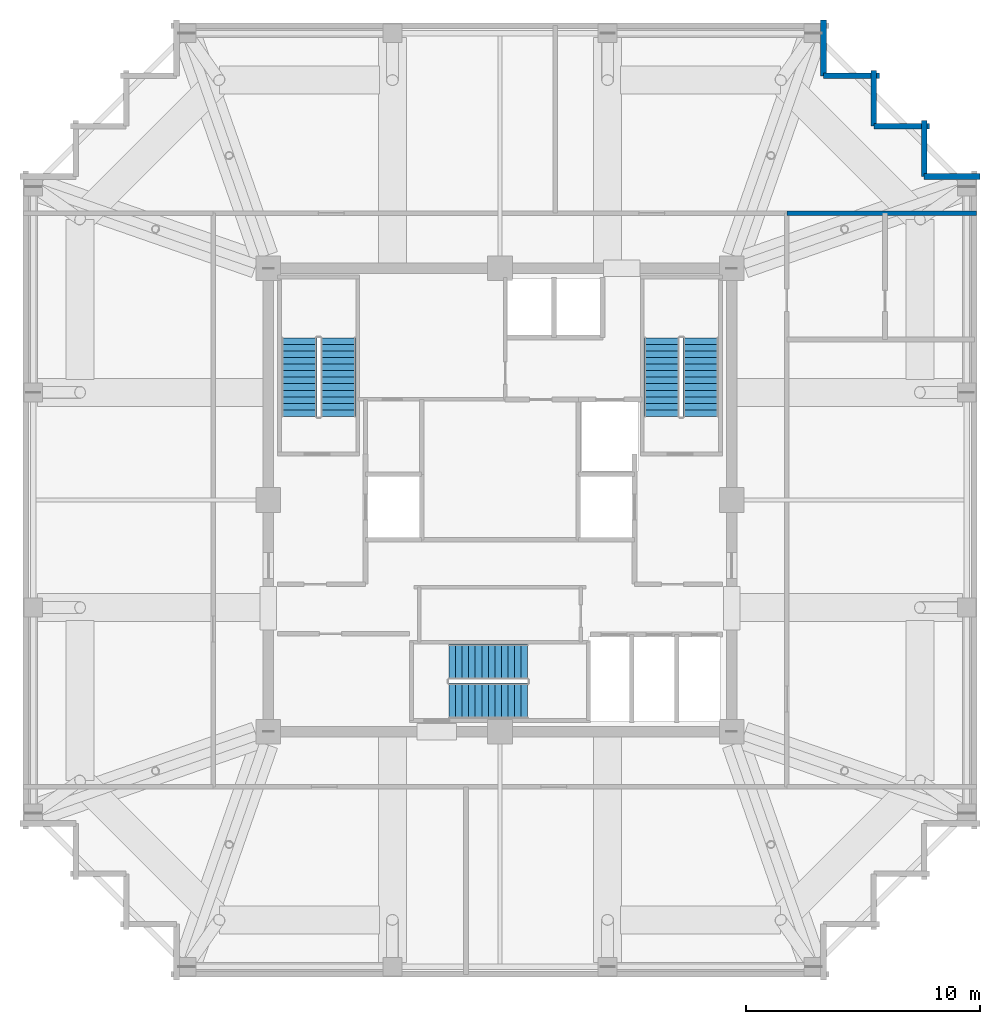
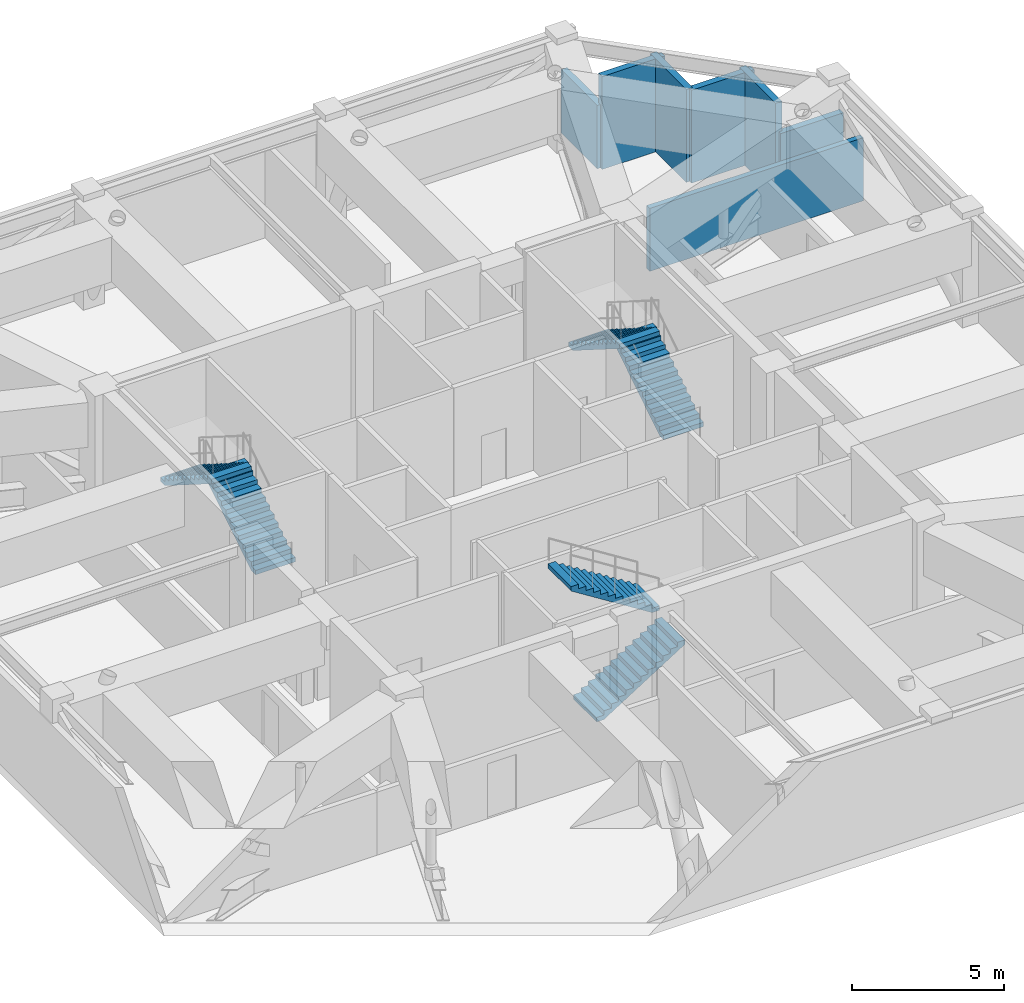
# One storey, part 13 of 14: 7 walls, 6 stair flights, 3 elements without a shape of their own.
"""IFC4 building model written with IfcOpenShell, lengths in metres."""

from ifc_helpers import new_model, si_unit, direction, frame, frame_2d, origin, place, context, subcontext, project, spatial, polyline, rectangle, outline, extrude, material, layer, layer_set, type_object, element, aggregate, save


model = new_model("IFC4")

# Units and contexts
model_context = context("Model", 3, precision=1e-05, world=origin(), true_north=direction((0.0, 1.0)))
body_context = subcontext(model_context, "Body", "Model", "MODEL_VIEW")
ifc_project = project(units=[si_unit("LENGTHUNIT", "METRE"), si_unit("AREAUNIT", "SQUARE_METRE"), si_unit("VOLUMEUNIT", "CUBIC_METRE"), si_unit("PLANEANGLEUNIT", "RADIAN"), si_unit("MASSUNIT", "GRAM", prefix="KILO")], contexts=[model_context])

# Site, building, storey
site_placement = place(None, origin())
site = spatial("IfcSite", under=ifc_project, at=site_placement, CompositionType="ELEMENT")
building_placement = place(site_placement, origin())
building = spatial("IfcBuilding", under=site, at=building_placement, Name="Kolvaren Belvedere", CompositionType="ELEMENT")
storey_placement = place(building_placement, frame((0.0, 0.0, 232.800048828125)))
storey = spatial("IfcBuildingStorey", under=building, at=storey_placement, Name="L68", CompositionType="ELEMENT", Elevation=232.800048828125)

# Walls
ifc_material_1 = material(Name="Insulated acoustic pale-metal louvre wall", Category="aluminium")
ifc_layer_1 = layer(ifc_material_1, 0.239990234375)
ifc_layer_set_1 = layer_set([ifc_layer_1], Name="Insulated acoustic pale-metal louvre wall")
wall_type_1 = type_object("IfcWallType", Name="WL-LOUV-240", PredefinedType="STANDARD", material=ifc_layer_set_1)
wall_1_placement = place(storey_placement, frame((18.1298828125, 13.830078125, 0.0), z_axis=(0.0, 0.0, 1.0), x_axis=(1.0, 0.0, 0.0)))
element("IfcWall", 1, at=wall_1_placement, inside=storey, type_object=wall_type_1, Name="L68 Acoustic Louvre Facade Wall 9", PredefinedType="STANDARD", context=body_context, shape_type="SweptSolid", body=[
    extrude(rectangle(XDim=2.39013671875, YDim=0.239990234375, at=frame_2d((1.195068359375, 0.0))), origin(), (0.0, 0.0, 1.0), 2.544921875),
])
wall_2_placement = place(storey_placement, frame((18.1298828125, 16.219970703125, 0.0), z_axis=(0.0, 0.0, 1.0), x_axis=(0.0, -1.0, 0.0)))
element("IfcWall", 2, at=wall_2_placement, inside=storey, type_object=wall_type_1, Name="L68 Acoustic Louvre Facade Wall 10", PredefinedType="STANDARD", context=body_context, shape_type="SweptSolid", body=[
    extrude(rectangle(XDim=2.389892578125, YDim=0.239990234375, at=frame_2d((1.19482421875, 0.0))), origin(), (0.0, 0.0, 1.0), 3.73291015625),
])
for number, where, z_axis, x_axis, name in (
    (3, (15.97998046875, 15.97998046875, 0.0), (0.0, 0.0, 1.0), (1.0, 0.0, 0.0), "L68 Acoustic Louvre Facade Wall 11"),
    (4, (15.97998046875, 18.3701171875, 0.0), (0.0, 0.0, 1.0), (0.0, -1.0, 0.0), "L68 Acoustic Louvre Facade Wall 12"),
):
    element("IfcWall", number, at=place(storey_placement, frame(where, z_axis=z_axis, x_axis=x_axis)), inside=storey, type_object=wall_type_1, Name=name, PredefinedType="STANDARD", context=body_context, shape_type="SweptSolid", body=[
        extrude(rectangle(XDim=2.39013671875, YDim=0.239990234375, at=frame_2d((1.195068359375, 0.0))), origin(), (0.0, 0.0, 1.0), 3.73291015625),
    ])
wall_3_placement = place(storey_placement, frame((13.830078125, 18.1298828125, 0.0), z_axis=(0.0, 0.0, 1.0), x_axis=(1.0, 0.0, 0.0)))
element("IfcWall", 5, at=wall_3_placement, inside=storey, type_object=wall_type_1, Name="L68 Acoustic Louvre Facade Wall 13", PredefinedType="STANDARD", context=body_context, shape_type="SweptSolid", body=[
    extrude(rectangle(XDim=2.389892578125, YDim=0.239990234375, at=frame_2d((1.19482421875, 0.0))), origin(), (0.0, 0.0, 1.0), 3.73291015625),
])
wall_4_placement = place(storey_placement, frame((13.830078125, 20.52001953125, 0.0), z_axis=(0.0, 0.0, 1.0), x_axis=(0.0, -1.0, 0.0)))
element("IfcWall", 6, at=wall_4_placement, inside=storey, type_object=wall_type_1, Name="L68 Acoustic Louvre Facade Wall 14", PredefinedType="STANDARD", context=body_context, shape_type="SweptSolid", body=[
    extrude(rectangle(XDim=2.39013671875, YDim=0.239990234375, at=frame_2d((1.195068359375, 0.0))), origin(), (0.0, 0.0, 1.0), 2.544921875),
])
ifc_material_2 = material(Name="Concrete C50/60", Category="concrete")
ifc_layer_2 = layer(ifc_material_2, 0.199951171875)
ifc_layer_set_2 = layer_set([ifc_layer_2], Name="Concrete C50/60")
wall_type_2 = type_object("IfcWallType", Name="WL-SHAFT-200", PredefinedType="SOLIDWALL", material=ifc_layer_set_2)
wall_5_placement = place(storey_placement, frame((12.260009765625, 12.260009765625, 0.0), z_axis=(0.0, 0.0, 1.0), x_axis=(1.0, 0.0, 0.0)))
element("IfcWall", 7, at=wall_5_placement, inside=storey, type_object=wall_type_2, Name="L68 Sector Wall PW-L68-QNE", PredefinedType="SOLIDWALL", context=body_context, shape_type="SweptSolid", body=[
    extrude(rectangle(XDim=8.119873046875, YDim=0.199951171875, at=frame_2d((4.06005859375, 0.0))), origin(), (0.0, 0.0, 1.0), 2.534912109375),
])

# Stair, stair flights
ifc_material_3 = material(Name="Concrete C50/60", Category="concrete")
stair_type = type_object("IfcStairType", Name="ST-CORE-1520", PredefinedType="HALF_TURN_STAIR", material=ifc_material_3)
stair_1_placement = place(storey_placement, origin())
stair_1 = element("IfcStair", 8, at=stair_1_placement, inside=storey, type_object=stair_type, Name="L68 Protected Exit Stair ST-1", PredefinedType="HALF_TURN_STAIR")
ifc_material_4 = material(Name="Concrete C50/60", Category="concrete")
stair_flight_type = type_object("IfcStairFlightType", Name="SF-STR-1520", PredefinedType="STRAIGHT", material=ifc_material_4)
stair_flight_1_placement = place(storey_placement, frame((-6.919921875, 3.570068359375, 0.0), z_axis=(0.0, 0.0, 1.0), x_axis=(0.0, 1.0, 0.0)))
stair_flight_1 = element("IfcStairFlight", 9, at=stair_flight_1_placement, type_object=stair_flight_type, Name="ST-1 flight 1", NumberOfRisers=13, NumberOfTreads=12, PredefinedType="STRAIGHT", RiserHeight=0.176923077, TreadLength=0.28, context=body_context, shape_type="SweptSolid", body=[
    extrude(outline(polyline([(0.0, 0.0), (0.0, 0.177001953125), (0.280029296875, 0.177001953125), (0.280029296875, 0.353759765625), (0.56005859375, 0.353759765625), (0.56005859375, 0.53076171875), (0.840087890625, 0.53076171875), (0.840087890625, 0.707763671875), (1.1201171875, 0.707763671875), (1.1201171875, 0.884521484375), (1.39990234375, 0.884521484375), (1.39990234375, 1.0615234375), (1.679931640625, 1.0615234375), (1.679931640625, 1.238525390625), (1.9599609375, 1.238525390625), (1.9599609375, 1.415283203125), (2.239990234375, 1.415283203125), (2.239990234375, 1.59228515625), (2.52001953125, 1.59228515625), (2.52001953125, 1.769287109375), (2.800048828125, 1.769287109375), (2.800048828125, 1.946044921875), (3.080078125, 1.946044921875), (3.080078125, 2.123046875), (3.360107421875, 2.123046875), (3.360107421875, 2.300048828125), (3.360107421875, 1.94580078125), (0.280517578125, 0.0), (0.0, 0.0)])), frame((0.0, 0.760009765625, 0.0), z_axis=(0.0, -1.0, 0.0), x_axis=(1.0, 0.0, 0.0)), (0.0, 0.0, 1.0), 1.52001953125),
])
stair_flight_2_placement = place(storey_placement, frame((-8.590087890625, 6.929931640625, 2.300048828125), z_axis=(0.0, 0.0, 1.0), x_axis=(0.0, -1.0, 0.0)))
stair_flight_2 = element("IfcStairFlight", 10, at=stair_flight_2_placement, type_object=stair_flight_type, Name="ST-1 flight 2", NumberOfRisers=13, NumberOfTreads=12, PredefinedType="STRAIGHT", RiserHeight=0.176923077, TreadLength=0.28, context=body_context, shape_type="SweptSolid", body=[
    extrude(outline(polyline([(0.0, 0.0), (0.0, 0.177001953125), (0.280029296875, 0.177001953125), (0.280029296875, 0.353759765625), (0.56005859375, 0.353759765625), (0.56005859375, 0.53076171875), (0.840087890625, 0.53076171875), (0.840087890625, 0.707763671875), (1.1201171875, 0.707763671875), (1.1201171875, 0.884521484375), (1.39990234375, 0.884521484375), (1.39990234375, 1.0615234375), (1.679931640625, 1.0615234375), (1.679931640625, 1.238525390625), (1.9599609375, 1.238525390625), (1.9599609375, 1.415283203125), (2.239990234375, 1.415283203125), (2.239990234375, 1.59228515625), (2.52001953125, 1.59228515625), (2.52001953125, 1.769287109375), (2.800048828125, 1.769287109375), (2.800048828125, 1.946044921875), (3.080078125, 1.946044921875), (3.080078125, 2.123046875), (3.360107421875, 2.123046875), (3.360107421875, 2.300048828125), (3.360107421875, 1.94580078125), (0.280517578125, 0.0), (0.0, 0.0)])), frame((0.0, 0.760009765625, 0.0), z_axis=(0.0, -1.0, 0.0), x_axis=(1.0, 0.0, 0.0)), (0.0, 0.0, 1.0), 1.52001953125),
])
aggregate(stair_1, [stair_flight_1, stair_flight_2])

stair_2_placement = place(storey_placement, origin())
stair_2 = element("IfcStair", 11, at=stair_2_placement, inside=storey, type_object=stair_type, Name="L68 Protected Exit Stair ST-2", PredefinedType="HALF_TURN_STAIR")
stair_flight_3_placement = place(storey_placement, frame((8.590087890625, 3.570068359375, 0.0), z_axis=(0.0, 0.0, 1.0), x_axis=(0.0, 1.0, 0.0)))
stair_flight_3 = element("IfcStairFlight", 12, at=stair_flight_3_placement, type_object=stair_flight_type, Name="ST-2 flight 1", NumberOfRisers=13, NumberOfTreads=12, PredefinedType="STRAIGHT", RiserHeight=0.176923077, TreadLength=0.28, context=body_context, shape_type="SweptSolid", body=[
    extrude(outline(polyline([(0.0, 0.0), (0.0, 0.177001953125), (0.280029296875, 0.177001953125), (0.280029296875, 0.353759765625), (0.56005859375, 0.353759765625), (0.56005859375, 0.53076171875), (0.840087890625, 0.53076171875), (0.840087890625, 0.707763671875), (1.1201171875, 0.707763671875), (1.1201171875, 0.884521484375), (1.39990234375, 0.884521484375), (1.39990234375, 1.0615234375), (1.679931640625, 1.0615234375), (1.679931640625, 1.238525390625), (1.9599609375, 1.238525390625), (1.9599609375, 1.415283203125), (2.239990234375, 1.415283203125), (2.239990234375, 1.59228515625), (2.52001953125, 1.59228515625), (2.52001953125, 1.769287109375), (2.800048828125, 1.769287109375), (2.800048828125, 1.946044921875), (3.080078125, 1.946044921875), (3.080078125, 2.123046875), (3.360107421875, 2.123046875), (3.360107421875, 2.300048828125), (3.360107421875, 1.94580078125), (0.280517578125, 0.0), (0.0, 0.0)])), frame((0.0, 0.760009765625, 0.0), z_axis=(0.0, -1.0, 0.0), x_axis=(1.0, 0.0, 0.0)), (0.0, 0.0, 1.0), 1.52001953125),
])
stair_flight_4_placement = place(storey_placement, frame((6.919921875, 6.929931640625, 2.300048828125), z_axis=(0.0, 0.0, 1.0), x_axis=(0.0, -1.0, 0.0)))
stair_flight_4 = element("IfcStairFlight", 13, at=stair_flight_4_placement, type_object=stair_flight_type, Name="ST-2 flight 2", NumberOfRisers=13, NumberOfTreads=12, PredefinedType="STRAIGHT", RiserHeight=0.176923077, TreadLength=0.28, context=body_context, shape_type="SweptSolid", body=[
    extrude(outline(polyline([(0.0, 0.0), (0.0, 0.177001953125), (0.280029296875, 0.177001953125), (0.280029296875, 0.353759765625), (0.56005859375, 0.353759765625), (0.56005859375, 0.53076171875), (0.840087890625, 0.53076171875), (0.840087890625, 0.707763671875), (1.1201171875, 0.707763671875), (1.1201171875, 0.884521484375), (1.39990234375, 0.884521484375), (1.39990234375, 1.0615234375), (1.679931640625, 1.0615234375), (1.679931640625, 1.238525390625), (1.9599609375, 1.238525390625), (1.9599609375, 1.415283203125), (2.239990234375, 1.415283203125), (2.239990234375, 1.59228515625), (2.52001953125, 1.59228515625), (2.52001953125, 1.769287109375), (2.800048828125, 1.769287109375), (2.800048828125, 1.946044921875), (3.080078125, 1.946044921875), (3.080078125, 2.123046875), (3.360107421875, 2.123046875), (3.360107421875, 2.300048828125), (3.360107421875, 1.94580078125), (0.280517578125, 0.0), (0.0, 0.0)])), frame((0.0, 0.760009765625, 0.0), z_axis=(0.0, -1.0, 0.0), x_axis=(1.0, 0.0, 0.0)), (0.0, 0.0, 1.0), 1.52001953125),
])
aggregate(stair_2, [stair_flight_3, stair_flight_4])

stair_3_placement = place(storey_placement, origin())
stair_3 = element("IfcStair", 14, at=stair_3_placement, inside=storey, type_object=stair_type, Name="L68 Protected Exit Stair ST-3", PredefinedType="HALF_TURN_STAIR")
stair_flight_5_placement = place(storey_placement, frame((-2.179931640625, -8.590087890625, 0.0), z_axis=(0.0, 0.0, 1.0), x_axis=(1.0, 0.0, 0.0)))
stair_flight_5 = element("IfcStairFlight", 15, at=stair_flight_5_placement, type_object=stair_flight_type, Name="ST-3 flight 1", NumberOfRisers=13, NumberOfTreads=12, PredefinedType="STRAIGHT", RiserHeight=0.176923077, TreadLength=0.28, context=body_context, shape_type="SweptSolid", body=[
    extrude(outline(polyline([(0.0, 0.0), (0.0, 0.177001953125), (0.280029296875, 0.177001953125), (0.280029296875, 0.353759765625), (0.56005859375, 0.353759765625), (0.56005859375, 0.53076171875), (0.840087890625, 0.53076171875), (0.840087890625, 0.707763671875), (1.1201171875, 0.707763671875), (1.1201171875, 0.884521484375), (1.39990234375, 0.884521484375), (1.39990234375, 1.0615234375), (1.679931640625, 1.0615234375), (1.679931640625, 1.238525390625), (1.9599609375, 1.238525390625), (1.9599609375, 1.415283203125), (2.239990234375, 1.415283203125), (2.239990234375, 1.59228515625), (2.52001953125, 1.59228515625), (2.52001953125, 1.769287109375), (2.800048828125, 1.769287109375), (2.800048828125, 1.946044921875), (3.080078125, 1.946044921875), (3.080078125, 2.123046875), (3.360107421875, 2.123046875), (3.360107421875, 2.300048828125), (3.360107421875, 1.94580078125), (0.280517578125, 0.0), (0.0, 0.0)])), frame((0.0, 0.760009765625, 0.0), z_axis=(0.0, -1.0, 0.0), x_axis=(1.0, 0.0, 0.0)), (0.0, 0.0, 1.0), 1.52001953125),
])
stair_flight_6_placement = place(storey_placement, frame((1.179931640625, -6.919921875, 2.300048828125), z_axis=(0.0, 0.0, 1.0), x_axis=(-1.0, 0.0, 0.0)))
stair_flight_6 = element("IfcStairFlight", 16, at=stair_flight_6_placement, type_object=stair_flight_type, Name="ST-3 flight 2", NumberOfRisers=13, NumberOfTreads=12, PredefinedType="STRAIGHT", RiserHeight=0.176923077, TreadLength=0.28, context=body_context, shape_type="SweptSolid", body=[
    extrude(outline(polyline([(0.0, 0.0), (0.0, 0.177001953125), (0.280029296875, 0.177001953125), (0.280029296875, 0.353759765625), (0.56005859375, 0.353759765625), (0.56005859375, 0.53076171875), (0.840087890625, 0.53076171875), (0.840087890625, 0.707763671875), (1.1201171875, 0.707763671875), (1.1201171875, 0.884521484375), (1.39990234375, 0.884521484375), (1.39990234375, 1.0615234375), (1.679931640625, 1.0615234375), (1.679931640625, 1.238525390625), (1.9599609375, 1.238525390625), (1.9599609375, 1.415283203125), (2.239990234375, 1.415283203125), (2.239990234375, 1.59228515625), (2.52001953125, 1.59228515625), (2.52001953125, 1.769287109375), (2.800048828125, 1.769287109375), (2.800048828125, 1.946044921875), (3.080078125, 1.946044921875), (3.080078125, 2.123046875), (3.360107421875, 2.123046875), (3.360107421875, 2.300048828125), (3.360107421875, 1.94580078125), (0.280517578125, 0.0), (0.0, 0.0)])), frame((0.0, 0.760009765625, 0.0), z_axis=(0.0, -1.0, 0.0), x_axis=(1.0, 0.0, 0.0)), (0.0, 0.0, 1.0), 1.52001953125),
])
aggregate(stair_3, [stair_flight_5, stair_flight_6])

save(model, "model.ifc")
